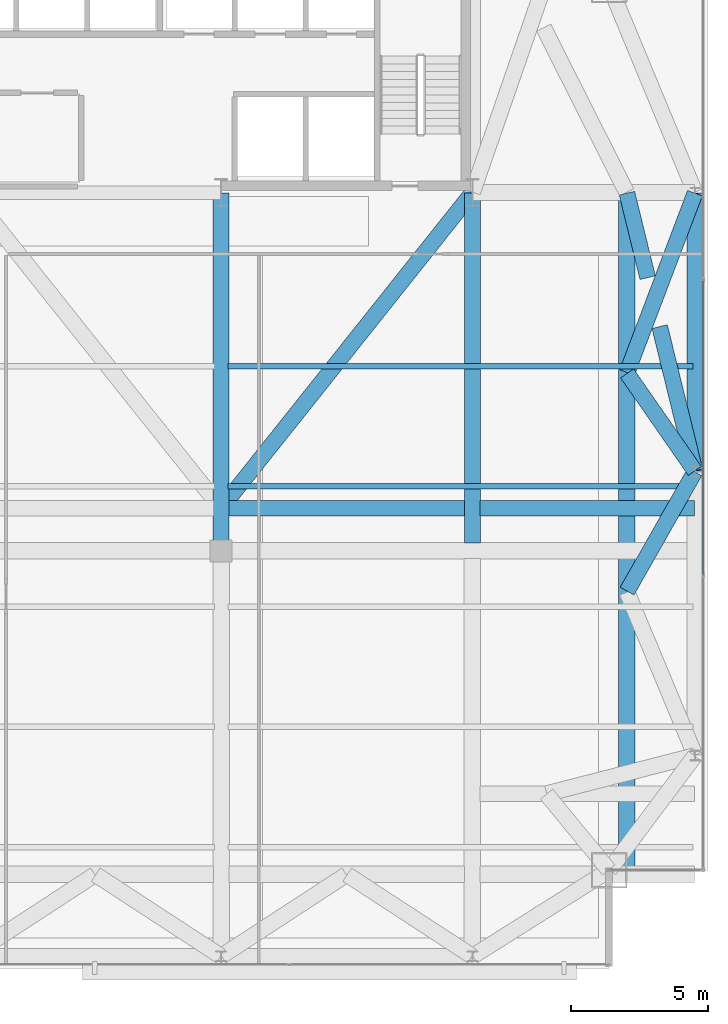
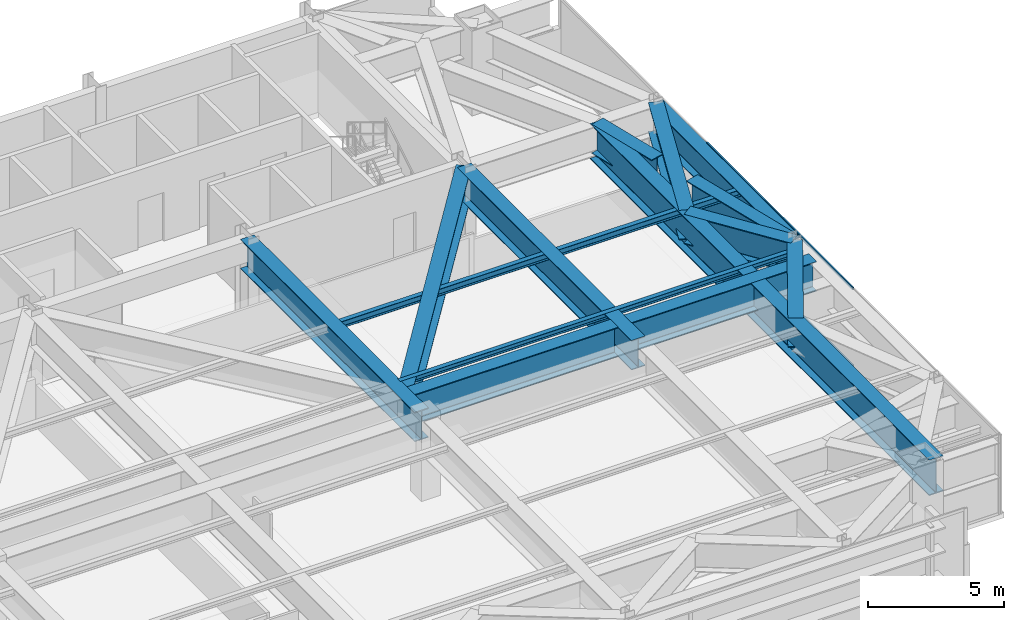
# One storey, part 18 of 26: 14 beams, 2 members, 1 element without a shape of its own.
"""IFC4 building model written with IfcOpenShell, lengths in metres."""

from ifc_helpers import new_model, si_unit, direction, frame, origin, origin_2d, place, context, subcontext, project, spatial, hollow_rectangle, i_section, extrude, source, transform, mapped, material, layer, layer_set, material_profile, profile_set, type_object, type_shapes, element, aggregate, save


model = new_model("IFC4")

# Units and contexts
model_context = context("Model", 3, precision=1e-05, world=origin(), true_north=direction((0.0, 1.0)))
body_context = subcontext(model_context, "Body", "Model", "MODEL_VIEW")
ifc_project = project(units=[si_unit("LENGTHUNIT", "METRE"), si_unit("AREAUNIT", "SQUARE_METRE"), si_unit("VOLUMEUNIT", "CUBIC_METRE"), si_unit("PLANEANGLEUNIT", "RADIAN"), si_unit("MASSUNIT", "GRAM", prefix="KILO")], contexts=[model_context])

# Site, building, storey
site_placement = place(None, origin())
site = spatial("IfcSite", under=ifc_project, at=site_placement, CompositionType="ELEMENT")
building_placement = place(site_placement, origin())
building = spatial("IfcBuilding", under=site, at=building_placement, Name="Varnel Quay Broadcast Tower", CompositionType="ELEMENT")
storey_placement = place(building_placement, frame((0.0, 0.0, 196.0)))
storey = spatial("IfcBuildingStorey", under=building, at=storey_placement, Name="L48", CompositionType="ELEMENT", Elevation=196.0)

# Beams
ifc_material_1 = material(Name="Structural Steel CSA G40.21 350WT", Category="steel")
ifc_material_profile_1 = material_profile(ifc_material_1, i_section(OverallWidth=0.580078125, OverallDepth=1.330078125, WebThickness=0.02197265625, FlangeThickness=0.0380859375, FilletRadius=0.02001953125, at=origin_2d()), Name="WWF1330X535")
ifc_profile_set_1 = profile_set([ifc_material_profile_1], Name="Structural Steel CSA G40.21 350WT")
beam_type_1 = type_object("IfcBeamType", Name="Girder_WWF1330X535", PredefinedType="BEAM", material=ifc_profile_set_1)
shared_shape_1 = source(origin(), body_context, "Body", "SweptSolid", [
    extrude(i_section(OverallWidth=0.580078125, OverallDepth=1.330078125, WebThickness=0.02197265625, FlangeThickness=0.0380859375, FilletRadius=0.02001953125, at=origin_2d()), origin(), (0.0, 0.0, 1.0), 10.16015625),
])
beam_1_placement = place(storey_placement, frame((60.550048828125, 25.419921875, 2.885009765625), z_axis=(0.0, 1.0, 0.0), x_axis=(-1.0, 0.0, 0.0)))
element("IfcBeam", 1, at=beam_1_placement, inside=storey, type_object=beam_type_1, Name="L48 East Transfer Spine TC-E2-TC-E3", PredefinedType="BEAM", context=body_context, shape_type="MappedRepresentation", body=[
    mapped(shared_shape_1, transform((0.0, 0.0, 0.0), x_axis=(1.0, 0.0, 0.0), y_axis=(0.0, 1.0, 0.0), z_axis=(0.0, 0.0, 1.0), scale=1.0)),
])
shared_shape_2 = source(origin(), body_context, "Body", "SweptSolid", [
    extrude(i_section(OverallWidth=0.580078125, OverallDepth=1.330078125, WebThickness=0.02197265625, FlangeThickness=0.0380859375, FilletRadius=0.02001953125, at=origin_2d()), origin(), (0.0, 0.0, 1.0), 8.6298828125),
])
beam_2_placement = place(storey_placement, frame((43.485107421875, 24.050048828125, 2.885009765625), z_axis=(1.0, 0.0, 0.0), x_axis=(0.0, 1.0, 0.0)))
element("IfcBeam", 2, at=beam_2_placement, inside=storey, type_object=beam_type_1, Name="L48 Setback Interior Column Transfer 5", PredefinedType="BEAM", context=body_context, shape_type="MappedRepresentation", body=[
    mapped(shared_shape_2, transform((0.0, 0.0, 0.0), x_axis=(1.0, 0.0, 0.0), y_axis=(0.0, 1.0, 0.0), z_axis=(0.0, 0.0, 1.0), scale=1.0)),
])
shared_shape_3 = source(origin(), body_context, "Body", "SweptSolid", [
    extrude(i_section(OverallWidth=0.580078125, OverallDepth=1.330078125, WebThickness=0.02197265625, FlangeThickness=0.0380859375, FilletRadius=0.02001953125, at=origin_2d()), origin(), (0.0, 0.0, 1.0), 12.80517578125),
])
for number, where, z_axis, x_axis, name in (
    (3, (43.199951171875, 22.77490234375, 2.885009765625), (0.0, 1.0, 0.0), (-1.0, 0.0, 0.0), "L48 N-S Transfer Girder 4B"),
    (4, (52.39990234375, 22.77490234375, 2.885009765625), (0.0, 1.0, 0.0), (-1.0, 0.0, 0.0), "L48 N-S Transfer Girder 5B"),
):
    element("IfcBeam", number, at=place(storey_placement, frame(where, z_axis=z_axis, x_axis=x_axis)), inside=storey, type_object=beam_type_1, Name=name, PredefinedType="BEAM", context=body_context, shape_type="MappedRepresentation", body=[
        mapped(shared_shape_3, transform((0.0, 0.0, 0.0), x_axis=(1.0, 0.0, 0.0), y_axis=(0.0, 1.0, 0.0), z_axis=(0.0, 0.0, 1.0), scale=1.0)),
    ])
shared_shape_4 = source(origin(), body_context, "Body", "SweptSolid", [
    extrude(i_section(OverallWidth=0.580078125, OverallDepth=1.330078125, WebThickness=0.02197265625, FlangeThickness=0.0380859375, FilletRadius=0.02001953125, at=origin_2d()), origin(), (0.0, 0.0, 1.0), 7.844970703125),
])
beam_3_placement = place(storey_placement, frame((52.68505859375, 24.050048828125, 2.885009765625), z_axis=(1.0, 0.0, 0.0), x_axis=(0.0, 1.0, 0.0)))
element("IfcBeam", 5, at=beam_3_placement, inside=storey, type_object=beam_type_1, Name="L48 Setback Interior Column Transfer 6", PredefinedType="BEAM", context=body_context, shape_type="MappedRepresentation", body=[
    mapped(shared_shape_4, transform((0.0, 0.0, 0.0), x_axis=(1.0, 0.0, 0.0), y_axis=(0.0, 1.0, 0.0), z_axis=(0.0, 0.0, 1.0), scale=1.0)),
])
ifc_material_profile_2 = material_profile(ifc_material_1, i_section(OverallWidth=0.60009765625, OverallDepth=1.60009765625, WebThickness=0.02392578125, FlangeThickness=0.0419921875, FilletRadius=0.02197265625, at=origin_2d()), Name="WWF1600X620")
ifc_profile_set_2 = profile_set([ifc_material_profile_2], Name="Structural Steel CSA G40.21 350WT")
beam_type_2 = type_object("IfcBeamType", Name="Girder_WWF1600X620", PredefinedType="BEAM", material=ifc_profile_set_2)
shared_shape_5 = source(origin(), body_context, "Body", "SweptSolid", [
    extrude(i_section(OverallWidth=0.60009765625, OverallDepth=1.60009765625, WebThickness=0.02392578125, FlangeThickness=0.0419921875, FilletRadius=0.02197265625, at=origin_2d()), origin(), (0.0, 0.0, 1.0), 24.91015625),
])
type_shapes(beam_type_2, [shared_shape_5])
beam_4_placement = place(storey_placement, frame((58.050048828125, 10.669921875, 2.75), z_axis=(0.0, 1.0, 0.0), x_axis=(-1.0, 0.0, 0.0)))
element("IfcBeam", 6, at=beam_4_placement, inside=storey, type_object=beam_type_2, Name="L48 Setback East Transfer Header", PredefinedType="BEAM", context=body_context, shape_type="MappedRepresentation", body=[
    mapped(shared_shape_5, transform((0.0, 0.0, 0.0), x_axis=(1.0, 0.0, 0.0), y_axis=(0.0, 1.0, 0.0), z_axis=(0.0, 0.0, 1.0), scale=1.0)),
])
shared_shape_6 = source(origin(), body_context, "Body", "SweptSolid", [
    extrude(i_section(OverallWidth=0.580078125, OverallDepth=1.330078125, WebThickness=0.02197265625, FlangeThickness=0.0380859375, FilletRadius=0.02001953125, at=origin_2d()), origin(), (0.0, 0.0, 1.0), 5.020751953125),
])
beam_5_placement = place(storey_placement, frame((60.5400390625, 25.382568359375, 2.885009765625), z_axis=(-0.494006065775, -0.869458456154, 0.0), x_axis=(0.869458456154, -0.494006065775, 0.0)))
element("IfcBeam", 7, at=beam_5_placement, inside=storey, type_object=beam_type_1, Name="L48 Nodal Transfer Tie TC-E1-TC-E2", PredefinedType="BEAM", context=body_context, shape_type="MappedRepresentation", body=[
    mapped(shared_shape_6, transform((0.0, 0.0, 0.0), x_axis=(1.0, 0.0, 0.0), y_axis=(0.0, 1.0, 0.0), z_axis=(0.0, 0.0, 1.0), scale=1.0)),
])
shared_shape_7 = source(origin(), body_context, "Body", "SweptSolid", [
    extrude(i_section(OverallWidth=0.580078125, OverallDepth=1.330078125, WebThickness=0.02197265625, FlangeThickness=0.0380859375, FilletRadius=0.02001953125, at=origin_2d()), origin(), (0.0, 0.0, 1.0), 4.343017578125),
])
beam_6_placement = place(storey_placement, frame((60.53857421875, 25.41650390625, 2.885009765625), z_axis=(-0.570413718567, 0.821357528529, 0.0), x_axis=(-0.821357528529, -0.570413718567, 0.0)))
element("IfcBeam", 8, at=beam_6_placement, inside=storey, type_object=beam_type_1, Name="L48 Nodal Transfer Tie TC-E2-TC-E2", PredefinedType="BEAM", context=body_context, shape_type="MappedRepresentation", body=[
    mapped(shared_shape_7, transform((0.0, 0.0, 0.0), x_axis=(1.0, 0.0, 0.0), y_axis=(0.0, 1.0, 0.0), z_axis=(0.0, 0.0, 1.0), scale=1.0)),
])
shared_shape_8 = source(origin(), body_context, "Body", "SweptSolid", [
    extrude(i_section(OverallWidth=0.580078125, OverallDepth=1.330078125, WebThickness=0.02197265625, FlangeThickness=0.0380859375, FilletRadius=0.02001953125, at=origin_2d()), origin(), (0.0, 0.0, 1.0), 14.726318359375),
])
beam_7_placement = place(storey_placement, frame((52.387451171875, 35.58447265625, 2.885009765625), z_axis=(-0.623037811648, -0.78219171899, 0.0), x_axis=(0.78219171899, -0.623037811648, 0.0)))
element("IfcBeam", 9, at=beam_7_placement, inside=storey, type_object=beam_type_1, Name="L48 Nodal Transfer Tie IC-02-CC-S5", PredefinedType="BEAM", context=body_context, shape_type="MappedRepresentation", body=[
    mapped(shared_shape_8, transform((0.0, 0.0, 0.0), x_axis=(1.0, 0.0, 0.0), y_axis=(0.0, 1.0, 0.0), z_axis=(0.0, 0.0, 1.0), scale=1.0)),
])
shared_shape_9 = source(origin(), body_context, "Body", "SweptSolid", [
    extrude(i_section(OverallWidth=0.580078125, OverallDepth=1.330078125, WebThickness=0.02197265625, FlangeThickness=0.0380859375, FilletRadius=0.02001953125, at=origin_2d()), origin(), (0.0, 0.0, 1.0), 7.017578125),
])
beam_8_placement = place(storey_placement, frame((60.54296875, 35.581298828125, 2.885009765625), z_axis=(-0.354232594373, -0.935157349906, 0.0), x_axis=(0.935157349906, -0.354232594373, 0.0)))
element("IfcBeam", 10, at=beam_8_placement, inside=storey, type_object=beam_type_1, Name="L48 X-Braced Transfer Tie TC-E2-TC-E3", PredefinedType="BEAM", context=body_context, shape_type="MappedRepresentation", body=[
    mapped(shared_shape_9, transform((0.0, 0.0, 0.0), x_axis=(1.0, 0.0, 0.0), y_axis=(0.0, 1.0, 0.0), z_axis=(0.0, 0.0, 1.0), scale=1.0)),
])
shared_shape_10 = source(origin(), body_context, "Body", "SweptSolid", [
    extrude(i_section(OverallWidth=0.580078125, OverallDepth=1.330078125, WebThickness=0.02197265625, FlangeThickness=0.0380859375, FilletRadius=0.02001953125, at=origin_2d()), origin(), (0.0, 0.0, 1.0), 5.433837890625),
])
beam_9_placement = place(storey_placement, frame((60.545166015625, 25.41943359375, 2.885009765625), z_axis=(-0.238040007586, 0.971255349941, 0.0), x_axis=(-0.971255349941, -0.238040007586, 0.0)))
element("IfcBeam", 11, at=beam_9_placement, inside=storey, type_object=beam_type_1, Name="L48 X-Braced Transfer Tie TC-E3-TC-E2 Part 1", PredefinedType="BEAM", context=body_context, shape_type="MappedRepresentation", body=[
    mapped(shared_shape_10, transform((0.0, 0.0, 0.0), x_axis=(1.0, 0.0, 0.0), y_axis=(0.0, 1.0, 0.0), z_axis=(0.0, 0.0, 1.0), scale=1.0)),
])
shared_shape_11 = source(origin(), body_context, "Body", "SweptSolid", [
    extrude(i_section(OverallWidth=0.580078125, OverallDepth=1.330078125, WebThickness=0.02197265625, FlangeThickness=0.0380859375, FilletRadius=0.02001953125, at=origin_2d()), origin(), (0.0, 0.0, 1.0), 3.183349609375),
])
type_shapes(beam_type_1, [shared_shape_1, shared_shape_2, shared_shape_3, shared_shape_4, shared_shape_6, shared_shape_7, shared_shape_8, shared_shape_9, shared_shape_10, shared_shape_11])
beam_10_placement = place(storey_placement, frame((58.8125, 32.48876953125, 2.885009765625), z_axis=(-0.238057732291, 0.971251005712, 0.0), x_axis=(-0.971251005712, -0.238057732291, 0.0)))
element("IfcBeam", 12, at=beam_10_placement, inside=storey, type_object=beam_type_1, Name="L48 X-Braced Transfer Tie TC-E3-TC-E2 Part 2", PredefinedType="BEAM", context=body_context, shape_type="MappedRepresentation", body=[
    mapped(shared_shape_11, transform((0.0, 0.0, 0.0), x_axis=(1.0, 0.0, 0.0), y_axis=(0.0, 1.0, 0.0), z_axis=(0.0, 0.0, 1.0), scale=1.0)),
])
ifc_material_2 = material(Name="Structural Steel CSA G40.21 350W", Category="steel")
ifc_material_profile_3 = material_profile(ifc_material_2, i_section(OverallWidth=0.202880859375, OverallDepth=0.302978515625, WebThickness=0.007568359375, FlangeThickness=0.01318359375, FilletRadius=0.011962890625, at=origin_2d()), Name="W310X60")
ifc_profile_set_3 = profile_set([ifc_material_profile_3], Name="Structural Steel CSA G40.21 350W")
beam_type_3 = type_object("IfcBeamType", Name="Beam_W310X60", PredefinedType="JOIST", material=ifc_profile_set_3)
shared_shape_12 = source(origin(), body_context, "Body", "SweptSolid", [
    extrude(i_section(OverallWidth=0.202880859375, OverallDepth=0.302978515625, WebThickness=0.007568359375, FlangeThickness=0.01318359375, FilletRadius=0.011962890625, at=origin_2d()), origin(), (0.0, 0.0, 1.0), 17.01953125),
])
type_shapes(beam_type_3, [shared_shape_12])
beam_11_placement = place(storey_placement, frame((43.445068359375, 29.25, 3.3984375), z_axis=(1.0, 0.0, 0.0), x_axis=(0.0, 1.0, 0.0)))
element("IfcBeam", 13, at=beam_11_placement, inside=storey, type_object=beam_type_3, Name="L48 East Floor Joist 5", PredefinedType="JOIST", context=body_context, shape_type="MappedRepresentation", body=[
    mapped(shared_shape_12, transform((0.0, 0.0, 0.0), x_axis=(1.0, 0.0, 0.0), y_axis=(0.0, 1.0, 0.0), z_axis=(0.0, 0.0, 1.0), scale=1.0)),
])
ifc_material_profile_4 = material_profile(ifc_material_2, i_section(OverallWidth=0.201904296875, OverallDepth=0.2470703125, WebThickness=0.00732421875, FlangeThickness=0.010986328125, FilletRadius=0.010986328125, at=origin_2d()), Name="W250X49")
ifc_profile_set_4 = profile_set([ifc_material_profile_4], Name="Structural Steel CSA G40.21 350W")
beam_type_4 = type_object("IfcBeamType", Name="Beam_W250X49", PredefinedType="JOIST", material=ifc_profile_set_4)
shared_shape_13 = source(origin(), body_context, "Body", "SweptSolid", [
    extrude(i_section(OverallWidth=0.201904296875, OverallDepth=0.2470703125, WebThickness=0.00732421875, FlangeThickness=0.010986328125, FilletRadius=0.010986328125, at=origin_2d()), origin(), (0.0, 0.0, 1.0), 17.01953125),
])
type_shapes(beam_type_4, [shared_shape_13])
beam_12_placement = place(storey_placement, frame((43.445068359375, 24.85009765625, 3.426513671875), z_axis=(1.0, 0.0, 0.0), x_axis=(0.0, 1.0, 0.0)))
element("IfcBeam", 14, at=beam_12_placement, inside=storey, type_object=beam_type_4, Name="L48 East Floor Joist 4", PredefinedType="JOIST", context=body_context, shape_type="MappedRepresentation", body=[
    mapped(shared_shape_13, transform((0.0, 0.0, 0.0), x_axis=(1.0, 0.0, 0.0), y_axis=(0.0, 1.0, 0.0), z_axis=(0.0, 0.0, 1.0), scale=1.0)),
])

# Curtain wall, members
ifc_material_3 = material(Name="Anodised Bronze Aluminium 6063-T6", Category="aluminium")
ifc_layer = layer(ifc_material_3, 0.18994140625, Name="Anodised Bronze Aluminium 6063-T6")
ifc_layer_set = layer_set([ifc_layer], Name="Anodised Bronze Aluminium 6063-T6")
curtain_wall_type = type_object("IfcCurtainWallType", Name="CW_UpperTower", PredefinedType="NOTDEFINED", material=ifc_layer_set)
curtain_wall_placement = place(storey_placement, origin())
curtain_wall = element("IfcCurtainWall", 15, at=curtain_wall_placement, inside=storey, type_object=curtain_wall_type, Name="L48 East Unitised Curtain Wall", PredefinedType="NOTDEFINED")
ifc_material_profile_5 = material_profile(ifc_material_3, hollow_rectangle(XDim=0.06005859375, YDim=0.125, WallThickness=0.0029296875, at=origin_2d()), Name="ALU60X125X3")
ifc_profile_set_5 = profile_set([ifc_material_profile_5], Name="Anodised Bronze Aluminium 6063-T6")
member_type = type_object("IfcMemberType", Name="Tran_CWS-03", PredefinedType="USERDEFINED", material=ifc_profile_set_5)
shared_shape_14 = source(origin(), body_context, "Body", "SweptSolid", [
    extrude(hollow_rectangle(XDim=0.06005859375, YDim=0.125, WallThickness=0.0029296875, at=origin_2d()), origin(), (0.0, 0.0, 1.0), 10.73486328125),
])
type_shapes(member_type, [shared_shape_14])
member_1_placement = place(storey_placement, frame((60.85009765625, 21.632568359375, 0.030029296875), z_axis=(0.0, 1.0, 0.0), x_axis=(-1.0, 0.0, 0.0)))
member_1 = element("IfcMember", 16, at=member_1_placement, type_object=member_type, Name="CWS-03 transom 2.1", ObjectType="TRANSOM", PredefinedType="USERDEFINED", context=body_context, shape_type="MappedRepresentation", body=[
    mapped(shared_shape_14, transform((0.0, 0.0, 0.0), x_axis=(1.0, 0.0, 0.0), y_axis=(0.0, 1.0, 0.0), z_axis=(0.0, 0.0, 1.0), scale=1.0)),
])
member_2_placement = place(storey_placement, frame((60.85009765625, 21.632568359375, 3.52001953125), z_axis=(0.0, 1.0, 0.0), x_axis=(-1.0, 0.0, 0.0)))
member_2 = element("IfcMember", 17, at=member_2_placement, type_object=member_type, Name="CWS-03 transom 2.2", ObjectType="TRANSOM", PredefinedType="USERDEFINED", context=body_context, shape_type="MappedRepresentation", body=[
    mapped(shared_shape_14, transform((0.0, 0.0, 0.0), x_axis=(1.0, 0.0, 0.0), y_axis=(0.0, 1.0, 0.0), z_axis=(0.0, 0.0, 1.0), scale=1.0)),
])
aggregate(curtain_wall, [member_1, member_2])

save(model, "model.ifc")
